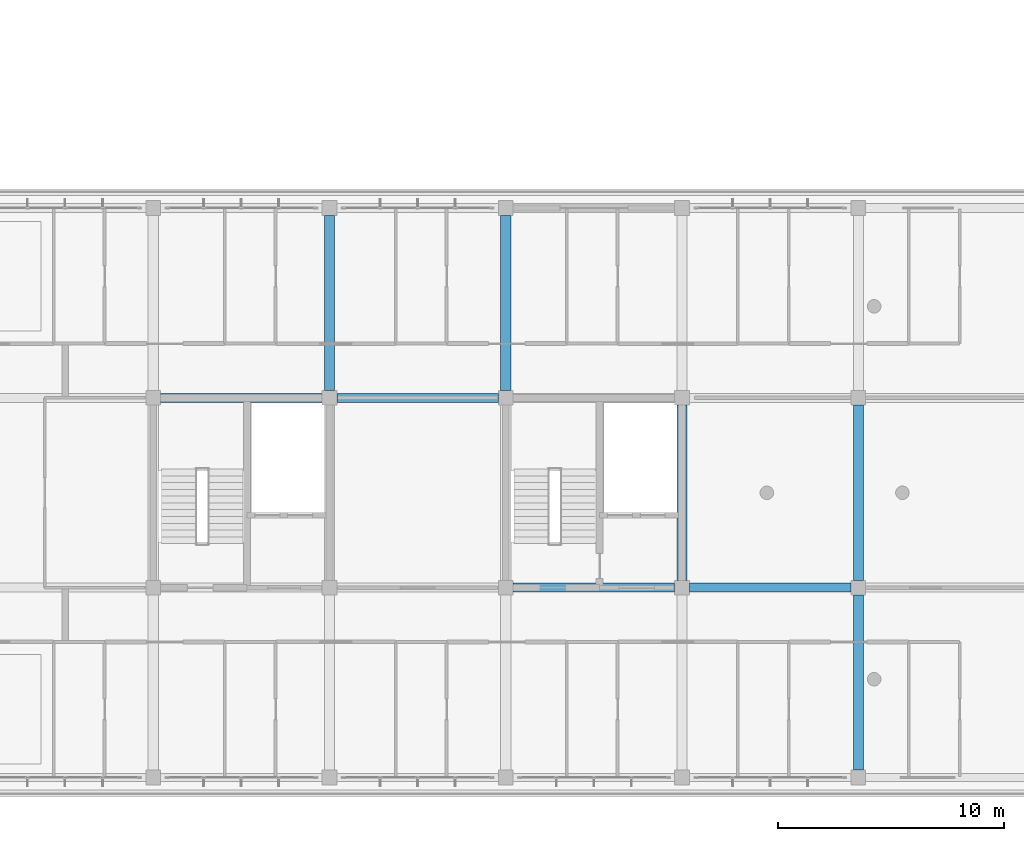
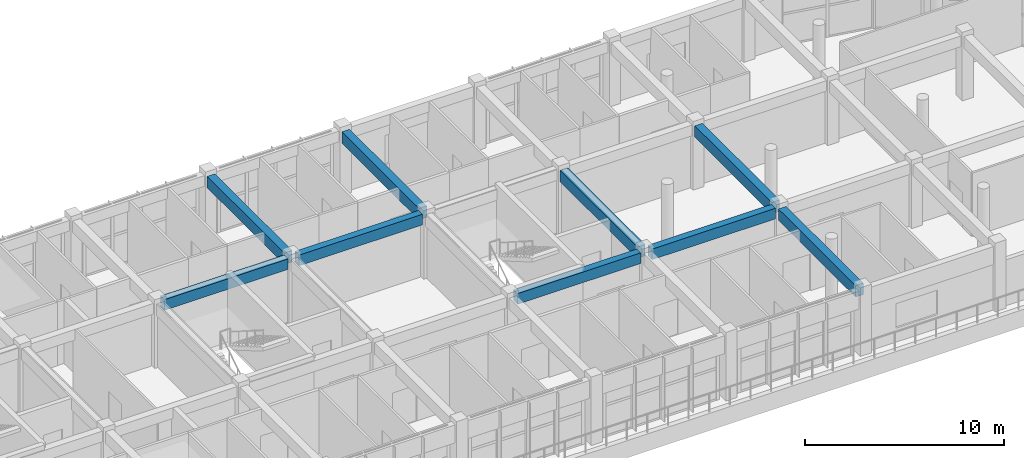
# One storey, part 25 of 63: 9 beams.
"""IFC4 building model written with IfcOpenShell, lengths in metres."""

from ifc_helpers import new_model, si_unit, direction, frame, origin, origin_2d, place, context, subcontext, project, spatial, rectangle, extrude, material, material_profile, profile_set, type_object, element, save


model = new_model("IFC4")

# Units and contexts
model_context = context("Model", 3, precision=1e-05, world=origin(), true_north=direction((0.0, 1.0)))
body_context = subcontext(model_context, "Body", "Model", "MODEL_VIEW")
ifc_project = project(units=[si_unit("LENGTHUNIT", "METRE"), si_unit("AREAUNIT", "SQUARE_METRE"), si_unit("VOLUMEUNIT", "CUBIC_METRE"), si_unit("PLANEANGLEUNIT", "RADIAN"), si_unit("MASSUNIT", "GRAM", prefix="KILO")], contexts=[model_context])

# Site, building, storey
site_placement = place(None, origin())
site = spatial("IfcSite", under=ifc_project, at=site_placement, CompositionType="ELEMENT")
building_placement = place(site_placement, origin())
building = spatial("IfcBuilding", under=site, at=building_placement, Name="Zizhar Promenade General Hospital", CompositionType="ELEMENT")
storey_placement = place(building_placement, frame((0.0, 0.0, 18.0)))
storey = spatial("IfcBuildingStorey", under=building, at=storey_placement, Name="L04", CompositionType="ELEMENT", Elevation=18.0)

# Beams
ifc_material_1 = material(Name="Concrete C35/45", Category="concrete")
ifc_material_profile_1 = material_profile(ifc_material_1, rectangle(XDim=0.39990234375, YDim=0.64990234375, at=origin_2d()))
ifc_profile_set_1 = profile_set([ifc_material_profile_1], Name="Concrete C35/45")
beam_type_1 = type_object("IfcBeamType", Name="BM-RC-400x650", PredefinedType="BEAM", material=ifc_profile_set_1)
beam_placement = place(storey_placement, frame((78.324951171875, 16.800048828125, 3.5849609375), z_axis=(1.0, 0.0, 0.0), x_axis=(0.0, 1.0, 0.0)))
element("IfcBeam", 1, at=beam_placement, inside=storey, type_object=beam_type_1, Name="Grid Beam X L04 (10-2)", PredefinedType="BEAM", context=body_context, shape_type="SweptSolid", body=[
    extrude(rectangle(XDim=0.39990234375, YDim=0.64990234375, at=origin_2d()), origin(), (0.0, 0.0, 1.0), 7.150146484375),
])
for number, where, z_axis, x_axis, name in (
    (2, (86.125, 16.800048828125, 3.5849609375), (1.0, 0.0, 0.0), (0.0, 1.0, 0.0), "Grid Beam X L04 (11-2)"),
    (3, (93.925048828125, 8.39990234375, 3.5849609375), (1.0, 0.0, 0.0), (0.0, 1.0, 0.0), "Grid Beam X L04 (12-1)"),
    (4, (101.72509765625, 8.39990234375, 3.5849609375), (1.0, 0.0, 0.0), (0.0, 1.0, 0.0), "Grid Beam X L04 (13-1)"),
):
    element("IfcBeam", number, at=place(storey_placement, frame(where, z_axis=z_axis, x_axis=x_axis)), inside=storey, type_object=beam_type_1, Name=name, PredefinedType="BEAM", context=body_context, shape_type="SweptSolid", body=[
        extrude(rectangle(XDim=0.39990234375, YDim=0.64990234375, at=origin_2d()), origin(), (0.0, 0.0, 1.0), 7.14990234375),
    ])
ifc_material_2 = material(Name="Concrete C35/45", Category="concrete")
ifc_material_profile_2 = material_profile(ifc_material_2, rectangle(XDim=0.449951171875, YDim=0.699951171875, at=origin_2d()))
ifc_profile_set_2 = profile_set([ifc_material_profile_2], Name="Concrete C35/45")
beam_type_2 = type_object("IfcBeamType", Name="BM-RC-450x700", PredefinedType="BEAM", material=ifc_profile_set_2)
for number, where, z_axis, x_axis, name in (
    (5, (85.800048828125, 17.125, 3.56005859375), (0.0, 1.0, 0.0), (-1.0, 0.0, 0.0), "Grid Beam Y L04 (11-2)"),
    (6, (93.60009765625, 17.125, 3.56005859375), (0.0, 1.0, 0.0), (-1.0, 0.0, 0.0), "Grid Beam Y L04 (12-2)"),
    (7, (101.39990234375, 8.72509765625, 3.56005859375), (0.0, 1.0, 0.0), (-1.0, 0.0, 0.0), "Grid Beam Y L04 (13-1)"),
    (8, (109.199951171875, 0.324951171875, 3.56005859375), (0.0, 1.0, 0.0), (-1.0, 0.0, 0.0), "Grid Beam Y L04 (14-0)"),
    (9, (109.199951171875, 8.72509765625, 3.56005859375), (0.0, 1.0, 0.0), (-1.0, 0.0, 0.0), "Grid Beam Y L04 (14-1)"),
):
    element("IfcBeam", number, at=place(storey_placement, frame(where, z_axis=z_axis, x_axis=x_axis)), inside=storey, type_object=beam_type_2, Name=name, PredefinedType="BEAM", context=body_context, shape_type="SweptSolid", body=[
        extrude(rectangle(XDim=0.449951171875, YDim=0.699951171875, at=origin_2d()), origin(), (0.0, 0.0, 1.0), 7.75),
    ])

save(model, "model.ifc")
